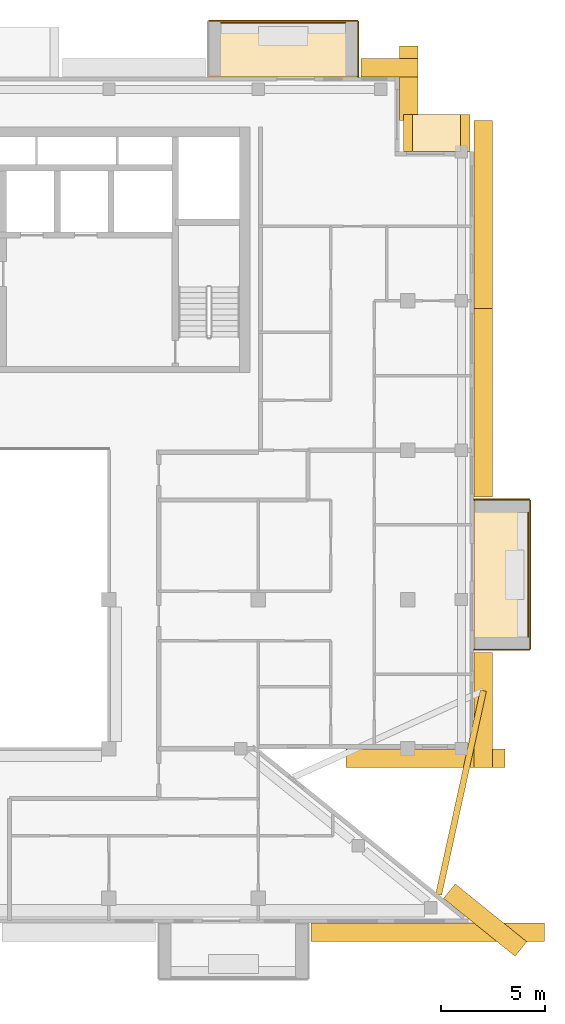
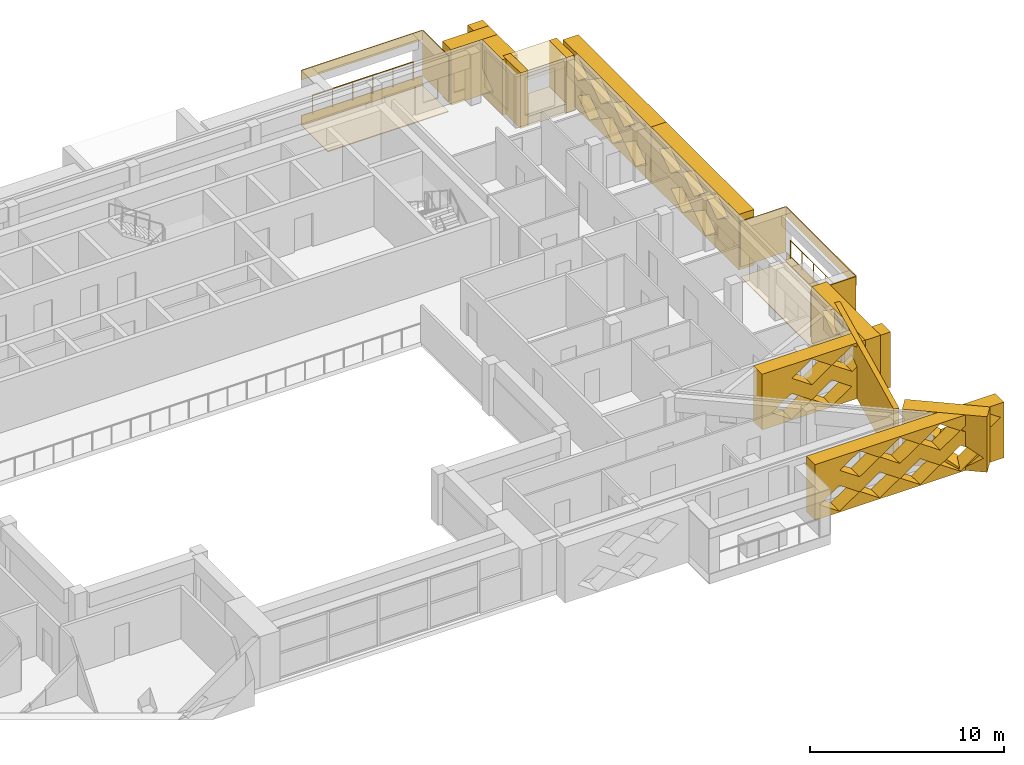
# One storey, part 19 of 19: 22 coverings, 2 railings.
"""IFC4 building model written with IfcOpenShell, lengths in metres."""

from ifc_helpers import new_model, si_unit, direction, frame, origin, origin_2d, place, context, subcontext, project, spatial, polyline, circle, outline, extrude, material, layer, layer_set, type_object, element, save


model = new_model("IFC4")

# Units and contexts
model_context = context("Model", 3, precision=1e-05, world=origin(), true_north=direction((0.0, 1.0)))
body_context = subcontext(model_context, "Body", "Model", "MODEL_VIEW")
ifc_project = project(units=[si_unit("LENGTHUNIT", "METRE"), si_unit("AREAUNIT", "SQUARE_METRE"), si_unit("VOLUMEUNIT", "CUBIC_METRE"), si_unit("PLANEANGLEUNIT", "RADIAN"), si_unit("MASSUNIT", "GRAM", prefix="KILO")], contexts=[model_context])

# Site, building, storey
site_placement = place(None, origin())
site = spatial("IfcSite", under=ifc_project, at=site_placement, CompositionType="ELEMENT")
building_placement = place(site_placement, origin())
building = spatial("IfcBuilding", under=site, at=building_placement, Name="Saffron Iwan Residences", CompositionType="ELEMENT")
storey_placement = place(building_placement, frame((0.0, 0.0, 264.0)))
storey = spatial("IfcBuildingStorey", under=building, at=storey_placement, Name="L71", CompositionType="ELEMENT", Elevation=264.0)

# Railings
ifc_material_1 = material(Name="Stainless steel 316", Category="steel")
railing_type = type_object("IfcRailingType", Name="BALCONY GUARD 1150", PredefinedType="GUARDRAIL", material=ifc_material_1)
railing_1_placement = place(storey_placement, frame((85.02490234375, 53.39990234375, 0.0)))
element("IfcRailing", 1, at=railing_1_placement, inside=storey, type_object=railing_type, Name="Balcony guard L71 F2-0", PredefinedType="GUARDRAIL", context=body_context, shape_type="SweptSolid", body=[
    extrude(circle(Radius=0.02392578125, at=origin_2d()), frame((0.0, 0.0, 1.1259765625), z_axis=(0.0, 1.0, 0.0), x_axis=(-1.0, 0.0, 0.0)), (0.0, 0.0, 1.0), 6.0),
    extrude(circle(Radius=0.02099609375, at=origin_2d()), origin(), (0.0, 0.0, 1.0), 1.101806640625),
    extrude(circle(Radius=0.02099609375, at=origin_2d()), frame((0.0, 1.199951171875, 0.0)), (0.0, 0.0, 1.0), 1.101806640625),
    extrude(circle(Radius=0.02099609375, at=origin_2d()), frame((0.0, 2.39990234375, 0.0)), (0.0, 0.0, 1.0), 1.101806640625),
    extrude(circle(Radius=0.02099609375, at=origin_2d()), frame((0.0, 3.60009765625, 0.0)), (0.0, 0.0, 1.0), 1.101806640625),
    extrude(circle(Radius=0.02099609375, at=origin_2d()), frame((0.0, 4.800048828125, 0.0)), (0.0, 0.0, 1.0), 1.101806640625),
    extrude(circle(Radius=0.02099609375, at=origin_2d()), frame((0.0, 6.0, 0.0)), (0.0, 0.0, 1.0), 1.101806640625),
])
railing_2_placement = place(storey_placement, frame((76.199951171875, 83.02490234375, 0.0)))
element("IfcRailing", 2, at=railing_2_placement, inside=storey, type_object=railing_type, Name="Balcony guard L71 F5-0", PredefinedType="GUARDRAIL", context=body_context, shape_type="SweptSolid", body=[
    extrude(circle(Radius=0.02392578125, at=origin_2d()), frame((0.0, 0.0, 1.1259765625), z_axis=(-1.0, 0.0, 0.0), x_axis=(0.0, -1.0, 0.0)), (0.0, 0.0, 1.0), 6.0),
    extrude(circle(Radius=0.02099609375, at=origin_2d()), origin(), (0.0, 0.0, 1.0), 1.101806640625),
    extrude(circle(Radius=0.02099609375, at=origin_2d()), frame((-1.199951171875, 0.0, 0.0)), (0.0, 0.0, 1.0), 1.101806640625),
    extrude(circle(Radius=0.02099609375, at=origin_2d()), frame((-2.39990234375, 0.0, 0.0)), (0.0, 0.0, 1.0), 1.101806640625),
    extrude(circle(Radius=0.02099609375, at=origin_2d()), frame((-3.60009765625, 0.0, 0.0)), (0.0, 0.0, 1.0), 1.101806640625),
    extrude(circle(Radius=0.02099609375, at=origin_2d()), frame((-4.800048828125, 0.0, 0.0)), (0.0, 0.0, 1.0), 1.101806640625),
    extrude(circle(Radius=0.02099609375, at=origin_2d()), frame((-6.0, 0.0, 0.0)), (0.0, 0.0, 1.0), 1.101806640625),
])

# Coverings
ifc_material_2 = material(Name="Precast concrete C40/50 white painted", Category="concrete")
ifc_layer_1 = layer(ifc_material_2, 0.050048828125)
ifc_layer_set_1 = layer_set([ifc_layer_1], Name="Precast concrete C40/50 white painted")
covering_type_1 = type_object("IfcCoveringType", Name="FRAME SKIN PRECAST WHITE 50", PredefinedType="CLADDING", material=ifc_layer_set_1)
for number, where, name in (
    (3, (0.0, 0.0, -0.60009765625), "Frame skin slab edge L71 F2-0"),
    (4, (0.0, 0.0, 2.25), "Frame skin fascia L71 F2-0"),
):
    element("IfcCovering", number, at=place(storey_placement, frame(where)), inside=storey, type_object=covering_type_1, Name=name, PredefinedType="CLADDING", context=body_context, shape_type="SweptSolid", body=[
        extrude(outline(polyline([(85.14990234375, 52.800048828125), (85.14990234375, 60.0), (85.10009765625, 60.0), (85.10009765625, 52.800048828125), (85.14990234375, 52.800048828125)])), origin(), (0.0, 0.0, 1.0), 0.60009765625),
    ])
covering_1_placement = place(storey_placement, frame((0.0, 0.0, -0.64990234375)))
element("IfcCovering", 5, at=covering_1_placement, inside=storey, type_object=covering_type_1, Name="Frame skin soffit L71 F2-0", PredefinedType="CLADDING", context=body_context, shape_type="SweptSolid", body=[
    extrude(outline(polyline([(85.10009765625, 52.800048828125), (85.10009765625, 60.0), (82.39990234375, 60.0), (82.39990234375, 52.800048828125), (85.10009765625, 52.800048828125)])), origin(), (0.0, 0.0, 1.0), 0.0498046875),
])
covering_2_placement = place(storey_placement, origin())
element("IfcCovering", 6, at=covering_2_placement, inside=storey, type_object=covering_type_1, Name="Frame skin fin L71 F2-0a", PredefinedType="CLADDING", context=body_context, shape_type="SweptSolid", body=[
    extrude(outline(polyline([(85.10009765625, 52.75), (85.10009765625, 52.800048828125), (82.39990234375, 52.800048828125), (82.39990234375, 52.75), (85.10009765625, 52.75)])), origin(), (0.0, 0.0, 1.0), 2.85009765625),
])
covering_3_placement = place(storey_placement, origin())
element("IfcCovering", 7, at=covering_3_placement, inside=storey, type_object=covering_type_1, Name="Frame skin fin L71 F2-0b", PredefinedType="CLADDING", context=body_context, shape_type="SweptSolid", body=[
    extrude(outline(polyline([(85.10009765625, 60.0), (85.10009765625, 60.050048828125), (82.39990234375, 60.050048828125), (82.39990234375, 60.0), (85.10009765625, 60.0)])), origin(), (0.0, 0.0, 1.0), 2.85009765625),
])
for number, where, name in (
    (8, (0.0, 0.0, -0.60009765625), "Frame skin slab edge L71 F5-0"),
    (9, (0.0, 0.0, 2.25), "Frame skin fascia L71 F5-0"),
):
    element("IfcCovering", number, at=place(storey_placement, frame(where)), inside=storey, type_object=covering_type_1, Name=name, PredefinedType="CLADDING", context=body_context, shape_type="SweptSolid", body=[
        extrude(outline(polyline([(76.800048828125, 83.14990234375), (69.60009765625, 83.14990234375), (69.60009765625, 83.10009765625), (76.800048828125, 83.10009765625), (76.800048828125, 83.14990234375)])), origin(), (0.0, 0.0, 1.0), 0.60009765625),
    ])
covering_4_placement = place(storey_placement, frame((0.0, 0.0, -0.64990234375)))
element("IfcCovering", 10, at=covering_4_placement, inside=storey, type_object=covering_type_1, Name="Frame skin soffit L71 F5-0", PredefinedType="CLADDING", context=body_context, shape_type="SweptSolid", body=[
    extrude(outline(polyline([(76.800048828125, 83.10009765625), (69.60009765625, 83.10009765625), (69.60009765625, 80.39990234375), (76.800048828125, 80.39990234375), (76.800048828125, 83.10009765625)])), origin(), (0.0, 0.0, 1.0), 0.0498046875),
])
covering_5_placement = place(storey_placement, origin())
element("IfcCovering", 11, at=covering_5_placement, inside=storey, type_object=covering_type_1, Name="Frame skin fin L71 F5-0a", PredefinedType="CLADDING", context=body_context, shape_type="SweptSolid", body=[
    extrude(outline(polyline([(76.85009765625, 83.10009765625), (76.800048828125, 83.10009765625), (76.800048828125, 80.39990234375), (76.85009765625, 80.39990234375), (76.85009765625, 83.10009765625)])), origin(), (0.0, 0.0, 1.0), 2.85009765625),
])
ifc_material_3 = material(Name="Precast concrete C40/50", Category="concrete")
covering_type_2 = type_object("IfcCoveringType", Name="OUTER SKIN LATTICE SCREEN", PredefinedType="CLADDING", material=ifc_material_3)
covering_6_placement = place(storey_placement, frame((84.387939453125, 37.994384765625, -0.280029296875), z_axis=(0.628558089533, 0.777762642509, 0.0), x_axis=(-0.777762642509, 0.628558089533, 0.0)))
element("IfcCovering", 12, at=covering_6_placement, inside=storey, type_object=covering_type_2, Name="OUTER SKIN lattice screen L71 F0.0", PredefinedType="CLADDING", context=body_context, shape_type="SweptSolid", body=[
    extrude(outline(polyline([(0.0, 0.0), (4.439697265625, 0.0), (4.439697265625, 3.5), (0.0, 3.5), (0.0, 0.0)]), holes=[polyline([(0.175537109375, 0.875), (1.35546875, 0.06005859375), (2.535400390625, 0.875), (1.35546875, 1.68994140625), (0.175537109375, 0.875)]), polyline([(1.37548828125, 2.625), (2.555419921875, 1.81005859375), (3.735595703125, 2.625), (2.555419921875, 3.43994140625), (1.37548828125, 2.625)])]), origin(), (0.0, 0.0, 1.0), 0.89990234375),
])
covering_7_placement = place(storey_placement, frame((76.235595703125, 48.0, -0.280029296875), z_axis=(0.0, -1.0, 0.0), x_axis=(1.0, 0.0, 0.0)))
element("IfcCovering", 13, at=covering_7_placement, inside=storey, type_object=covering_type_2, Name="OUTER SKIN lattice screen L71 F1.0", PredefinedType="CLADDING", context=body_context, shape_type="SweptSolid", body=[
    extrude(outline(polyline([(0.0, 0.0), (7.66455078125, 0.0), (7.66455078125, 3.5), (0.0, 3.5), (0.0, 0.0)]), holes=[polyline([(0.58447265625, 0.875), (1.764404296875, 0.06005859375), (2.944580078125, 0.875), (1.764404296875, 1.68994140625), (0.58447265625, 0.875)]), polyline([(2.984619140625, 0.875), (4.16455078125, 0.06005859375), (5.344482421875, 0.875), (4.16455078125, 1.68994140625), (2.984619140625, 0.875)]), polyline([(1.784423828125, 2.625), (2.964599609375, 1.81005859375), (4.14453125, 2.625), (2.964599609375, 3.43994140625), (1.784423828125, 2.625)]), polyline([(4.1845703125, 2.625), (5.364501953125, 1.81005859375), (6.54443359375, 2.625), (5.364501953125, 3.43994140625), (4.1845703125, 2.625)])]), origin(), (0.0, 0.0, 1.0), 0.89990234375),
])
covering_8_placement = place(storey_placement, frame((82.39990234375, 47.10009765625, -0.280029296875), z_axis=(1.0, 0.0, 0.0), x_axis=(0.0, 1.0, 0.0)))
element("IfcCovering", 14, at=covering_8_placement, inside=storey, type_object=covering_type_2, Name="OUTER SKIN lattice screen L71 F2.0", PredefinedType="CLADDING", context=body_context, shape_type="SweptSolid", body=[
    extrude(outline(polyline([(0.0, 0.0), (5.550048828125, 0.0), (5.550048828125, 3.5), (0.0, 3.5), (0.0, 0.0)]), holes=[polyline([(0.919921875, 0.875), (2.10009765625, 0.06005859375), (3.280029296875, 0.875), (2.10009765625, 1.68994140625), (0.919921875, 0.875)]), polyline([(2.1201171875, 2.625), (3.300048828125, 1.81005859375), (4.47998046875, 2.625), (3.300048828125, 3.43994140625), (2.1201171875, 2.625)])]), origin(), (0.0, 0.0, 1.0), 0.900146484375),
])
covering_9_placement = place(storey_placement, frame((82.39990234375, 60.14990234375, -0.280029296875), z_axis=(1.0, 0.0, 0.0), x_axis=(0.0, 1.0, 0.0)))
element("IfcCovering", 15, at=covering_9_placement, inside=storey, type_object=covering_type_2, Name="OUTER SKIN lattice screen L71 F2.1", PredefinedType="CLADDING", context=body_context, shape_type="SweptSolid", body=[
    extrude(outline(polyline([(0.0, 0.0), (9.074951171875, 0.0), (9.074951171875, 3.5), (0.0, 3.5), (0.0, 0.0)]), holes=[polyline([(2.27001953125, 0.875), (3.449951171875, 0.06005859375), (4.6298828125, 0.875), (3.449951171875, 1.68994140625), (2.27001953125, 0.875)]), polyline([(4.669921875, 0.875), (5.85009765625, 0.06005859375), (7.030029296875, 0.875), (5.85009765625, 1.68994140625), (4.669921875, 0.875)]), polyline([(1.070068359375, 2.625), (2.25, 1.81005859375), (3.429931640625, 2.625), (2.25, 3.43994140625), (1.070068359375, 2.625)]), polyline([(3.469970703125, 2.625), (4.64990234375, 1.81005859375), (5.830078125, 2.625), (4.64990234375, 3.43994140625), (3.469970703125, 2.625)]), polyline([(5.8701171875, 2.625), (7.050048828125, 1.81005859375), (8.22998046875, 2.625), (7.050048828125, 3.43994140625), (5.8701171875, 2.625)])]), origin(), (0.0, 0.0, 1.0), 0.900146484375),
])
covering_10_placement = place(storey_placement, frame((82.39990234375, 69.22509765625, -0.280029296875), z_axis=(1.0, 0.0, 0.0), x_axis=(0.0, 1.0, 0.0)))
element("IfcCovering", 16, at=covering_10_placement, inside=storey, type_object=covering_type_2, Name="OUTER SKIN lattice screen L71 F2.2", PredefinedType="CLADDING", context=body_context, shape_type="SweptSolid", body=[
    extrude(outline(polyline([(0.0, 0.0), (9.074951171875, 0.0), (9.074951171875, 3.5), (0.0, 3.5), (0.0, 0.0)]), holes=[polyline([(0.39501953125, 0.875), (1.574951171875, 0.06005859375), (2.7548828125, 0.875), (1.574951171875, 1.68994140625), (0.39501953125, 0.875)]), polyline([(2.794921875, 0.875), (3.97509765625, 0.06005859375), (5.155029296875, 0.875), (3.97509765625, 1.68994140625), (2.794921875, 0.875)]), polyline([(5.195068359375, 0.875), (6.375, 0.06005859375), (7.554931640625, 0.875), (6.375, 1.68994140625), (5.195068359375, 0.875)]), polyline([(1.594970703125, 2.625), (2.77490234375, 1.81005859375), (3.955078125, 2.625), (2.77490234375, 3.43994140625), (1.594970703125, 2.625)]), polyline([(3.9951171875, 2.625), (5.175048828125, 1.81005859375), (6.35498046875, 2.625), (5.175048828125, 3.43994140625), (3.9951171875, 2.625)]), polyline([(6.39501953125, 2.625), (7.574951171875, 1.81005859375), (8.7548828125, 2.625), (7.574951171875, 3.43994140625), (6.39501953125, 2.625)])]), origin(), (0.0, 0.0, 1.0), 0.900146484375),
])
covering_11_placement = place(storey_placement, frame((78.800048828125, 78.300048828125, -0.280029296875), z_axis=(1.0, 0.0, 0.0), x_axis=(0.0, 1.0, 0.0)))
element("IfcCovering", 17, at=covering_11_placement, inside=storey, type_object=covering_type_2, Name="OUTER SKIN lattice screen L71 F4.0", PredefinedType="CLADDING", context=body_context, shape_type="SweptSolid", body=[
    extrude(outline(polyline([(0.0, 0.0), (3.60009765625, 0.0), (3.60009765625, 3.5), (0.0, 3.5), (0.0, 0.0)]), holes=[polyline([(0.919921875, 0.875), (2.10009765625, 0.06005859375), (3.280029296875, 0.875), (2.10009765625, 1.68994140625), (0.919921875, 0.875)])]), origin(), (0.0, 0.0, 1.0), 0.89990234375),
])
covering_12_placement = place(storey_placement, frame((79.699951171875, 80.39990234375, -0.280029296875), z_axis=(0.0, 1.0, 0.0), x_axis=(-1.0, 0.0, 0.0)))
element("IfcCovering", 18, at=covering_12_placement, inside=storey, type_object=covering_type_2, Name="OUTER SKIN lattice screen L71 F5.0", PredefinedType="CLADDING", context=body_context, shape_type="SweptSolid", body=[
    extrude(outline(polyline([(0.0, 0.0), (2.75, 0.0), (2.75, 3.5), (0.0, 3.5), (0.0, 0.0)])), origin(), (0.0, 0.0, 1.0), 0.900146484375),
])
covering_13_placement = place(storey_placement, frame((74.550048828125, 39.60009765625, -0.280029296875), z_axis=(0.0, -1.0, 0.0), x_axis=(1.0, 0.0, 0.0)))
element("IfcCovering", 19, at=covering_13_placement, inside=storey, type_object=covering_type_2, Name="OUTER SKIN lattice screen L71 F11.3", PredefinedType="CLADDING", context=body_context, shape_type="SweptSolid", body=[
    extrude(outline(polyline([(0.0, 0.0), (11.24560546875, 0.0), (11.24560546875, 3.5), (0.0, 3.5), (0.0, 0.0)]), holes=[polyline([(0.27001953125, 0.875), (1.449951171875, 0.06005859375), (2.6298828125, 0.875), (1.449951171875, 1.68994140625), (0.27001953125, 0.875)]), polyline([(2.669921875, 0.875), (3.85009765625, 0.06005859375), (5.030029296875, 0.875), (3.85009765625, 1.68994140625), (2.669921875, 0.875)]), polyline([(5.070068359375, 0.875), (6.25, 0.06005859375), (7.429931640625, 0.875), (6.25, 1.68994140625), (5.070068359375, 0.875)]), polyline([(7.469970703125, 0.875), (8.64990234375, 0.06005859375), (9.830078125, 0.875), (8.64990234375, 1.68994140625), (7.469970703125, 0.875)]), polyline([(1.469970703125, 2.625), (2.64990234375, 1.81005859375), (3.830078125, 2.625), (2.64990234375, 3.43994140625), (1.469970703125, 2.625)]), polyline([(3.8701171875, 2.625), (5.050048828125, 1.81005859375), (6.22998046875, 2.625), (5.050048828125, 3.43994140625), (3.8701171875, 2.625)]), polyline([(6.27001953125, 2.625), (7.449951171875, 1.81005859375), (8.6298828125, 2.625), (7.449951171875, 3.43994140625), (6.27001953125, 2.625)]), polyline([(8.669921875, 2.625), (9.85009765625, 1.81005859375), (11.030029296875, 2.625), (9.85009765625, 3.43994140625), (8.669921875, 2.625)])]), origin(), (0.0, 0.0, 1.0), 0.900146484375),
])
ifc_layer_2 = layer(ifc_material_2, 0.300048828125)
ifc_layer_set_2 = layer_set([ifc_layer_2], Name="Precast concrete C40/50 white painted")
covering_type_3 = type_object("IfcCoveringType", Name="PROW NOSE BLADE PRECAST WHITE", PredefinedType="CLADDING", material=ifc_layer_set_2)
covering_14_placement = place(storey_placement, frame((0.0, 0.0, -0.280029296875)))
element("IfcCovering", 20, at=covering_14_placement, inside=storey, type_object=covering_type_3, Name="Prow nose blade L71 a", PredefinedType="CLADDING", context=body_context, shape_type="SweptSolid", body=[
    extrude(outline(polyline([(80.847412109375, 40.9404296875), (83.001708984375, 50.769287109375), (82.70849609375, 50.83349609375), (80.55419921875, 41.004638671875), (80.847412109375, 40.9404296875)])), origin(), (0.0, 0.0, 1.0), 3.5),
])
covering_type_4 = type_object("IfcCoveringType", Name="WHITE SUN FRAME PRECAST", PredefinedType="CLADDING", material=ifc_material_2)
for number, where, z_axis, x_axis, name in (
    (21, (82.199951171875, 76.800048828125, -0.280029296875), (0.0, 1.0, 0.0), (-1.0, 0.0, 0.0), "Sun frame L71 F3 0.2a"),
    (22, (79.449951171875, 76.800048828125, -0.280029296875), (0.0, 1.0, 0.0), (-1.0, 0.0, 0.0), "Sun frame L71 F3 0.2b"),
):
    element("IfcCovering", number, at=place(storey_placement, frame(where, z_axis=z_axis, x_axis=x_axis)), inside=storey, type_object=covering_type_4, Name=name, PredefinedType="CLADDING", context=body_context, shape_type="SweptSolid", body=[
        extrude(outline(polyline([(0.0, 0.0), (0.449951171875, 0.0), (0.449951171875, 3.5), (0.0, 3.5), (0.0, 0.0)])), origin(), (0.0, 0.0, 1.0), 1.800048828125),
    ])
for number, where, z_axis, x_axis, name in (
    (23, (81.75, 76.800048828125, 2.6201171875), (0.0, 1.0, 0.0), (-1.0, 0.0, 0.0), "Sun frame L71 F3 0.2h"),
    (24, (81.75, 76.800048828125, -0.280029296875), (0.0, 1.0, 0.0), (-1.0, 0.0, 0.0), "Sun frame L71 F3 0.2s"),
):
    element("IfcCovering", number, at=place(storey_placement, frame(where, z_axis=z_axis, x_axis=x_axis)), inside=storey, type_object=covering_type_4, Name=name, PredefinedType="CLADDING", context=body_context, shape_type="SweptSolid", body=[
        extrude(outline(polyline([(0.0, 0.0), (2.300048828125, 0.0), (2.300048828125, 0.60009765625), (0.0, 0.60009765625), (0.0, 0.0)])), origin(), (0.0, 0.0, 1.0), 1.800048828125),
    ])

save(model, "model.ifc")
